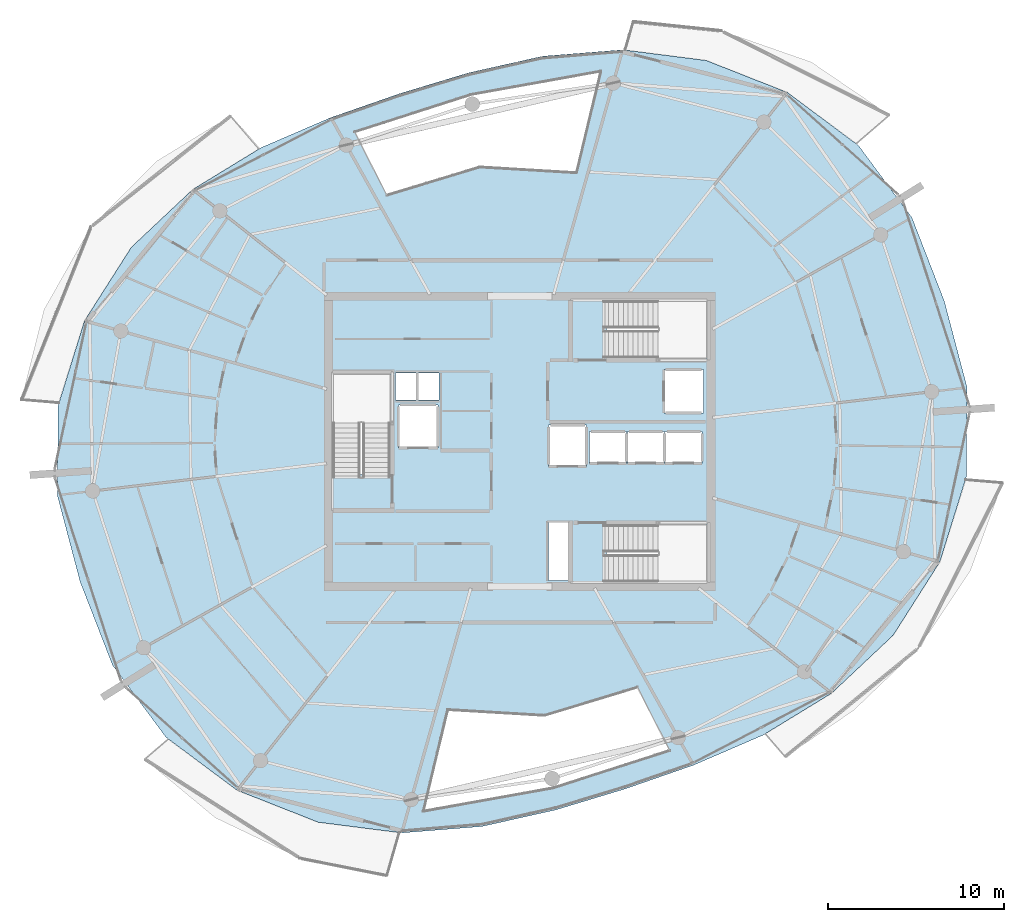
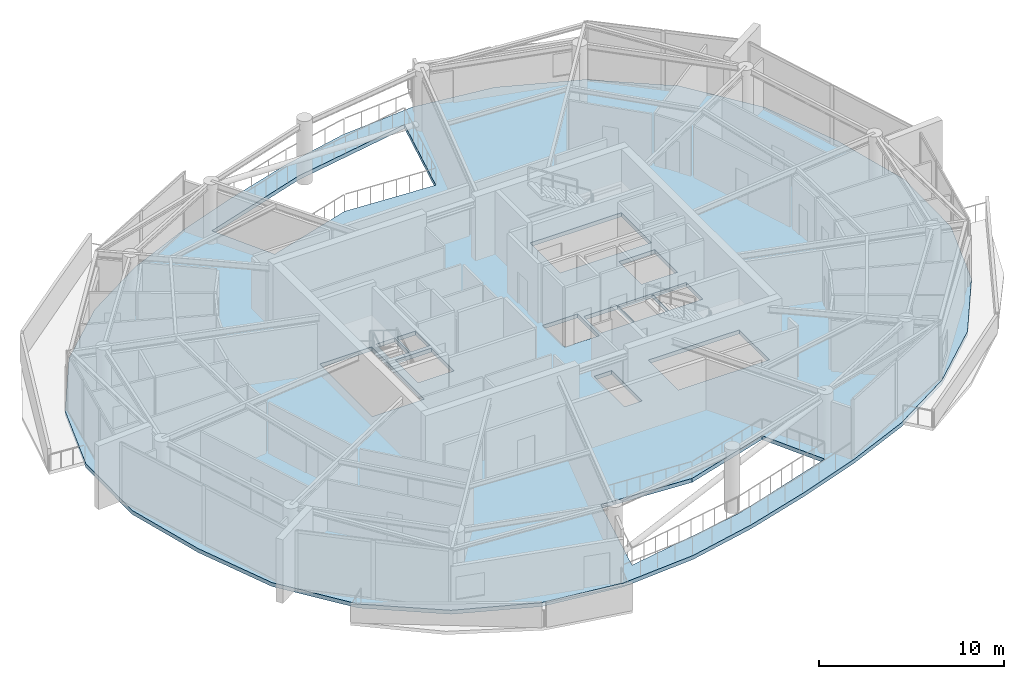
# One storey, part 10 of 22: 1 slab.
"""IFC4 building model written with IfcOpenShell, lengths in metres."""

from ifc_helpers import new_model, si_unit, direction, frame, origin, place, context, subcontext, project, spatial, polyline, outline, extrude, material, layer, layer_set, type_object, element, save


model = new_model("IFC4")

# Units and contexts
model_context = context("Model", 3, precision=1e-05, world=origin(), true_north=direction((0.0, 1.0)))
body_context = subcontext(model_context, "Body", "Model", "MODEL_VIEW")
ifc_project = project(units=[si_unit("LENGTHUNIT", "METRE"), si_unit("AREAUNIT", "SQUARE_METRE"), si_unit("VOLUMEUNIT", "CUBIC_METRE"), si_unit("PLANEANGLEUNIT", "RADIAN"), si_unit("MASSUNIT", "GRAM", prefix="KILO")], contexts=[model_context])

# Site, building, storey
site_placement = place(None, origin())
site = spatial("IfcSite", under=ifc_project, at=site_placement, CompositionType="ELEMENT")
building_placement = place(site_placement, origin())
building = spatial("IfcBuilding", under=site, at=building_placement, Name="Kazma Halo Residences", CompositionType="ELEMENT")
storey_placement = place(building_placement, frame((0.0, 0.0, 330.5)))
storey = spatial("IfcBuildingStorey", under=building, at=storey_placement, Name="L83", CompositionType="ELEMENT", Elevation=330.5)

# Slab
ifc_material = material(Name="Concrete C50/60", Category="concrete")
ifc_layer = layer(ifc_material, 0.260009765625)
ifc_layer_set = layer_set([ifc_layer], Name="Concrete C50/60")
slab_type = type_object("IfcSlabType", Name="SLB-RES-260", PredefinedType="FLOOR", material=ifc_layer_set)
slab_placement = place(storey_placement, frame((0.0, 0.0, -0.260009765625)))
element("IfcSlab", 1, at=slab_placement, inside=storey, type_object=slab_type, Name="L83 structural floor slab", PredefinedType="FLOOR", context=body_context, shape_type="SweptSolid", body=[
    extrude(outline(polyline([(72.573486328125, 49.984375), (70.730224609375, 54.7294921875), (67.697265625, 58.822998046875), (63.6455078125, 61.84619140625), (59.037841796875, 63.6630859375), (54.280517578125, 64.269287109375), (49.723876953125, 63.90478515625), (45.51904296875, 62.9609375), (41.576416015625, 61.76953125), (37.6865234375, 60.416015625), (33.72998046875, 58.7080078125), (29.829345703125, 56.32470703125), (26.3369140625, 53.037841796875), (23.677001953125, 48.85986328125), (22.17626953125, 44.032470703125), (22.12841796875, 38.93798828125), (23.426513671875, 34.015625), (25.269775390625, 29.2705078125), (28.302734375, 25.177001953125), (32.3544921875, 22.15380859375), (36.962158203125, 20.3369140625), (41.719482421875, 19.730712890625), (46.276123046875, 20.09521484375), (50.48095703125, 21.0390625), (54.423583984375, 22.23046875), (58.3134765625, 23.583984375), (62.27001953125, 25.2919921875), (66.170654296875, 27.67529296875), (69.6630859375, 30.962158203125), (72.322998046875, 35.14013671875), (73.82373046875, 39.967529296875), (73.87158203125, 45.06201171875), (72.573486328125, 49.984375)]), holes=[polyline([(37.800048828125, 40.110107421875), (41.050048828125, 40.110107421875), (41.050048828125, 45.800048828125), (37.800048828125, 45.800048828125), (37.800048828125, 40.110107421875)]), polyline([(53.360107421875, 46.75), (59.050048828125, 46.75), (59.050048828125, 50.0), (53.360107421875, 50.0), (53.360107421875, 46.75)]), polyline([(53.360107421875, 34.0), (59.050048828125, 34.0), (59.050048828125, 37.25), (53.360107421875, 37.25), (53.360107421875, 34.0)]), polyline([(41.52001953125, 41.6201171875), (43.780029296875, 41.6201171875), (43.780029296875, 44.080078125), (41.52001953125, 44.080078125), (41.52001953125, 41.6201171875)]), polyline([(56.6201171875, 43.6201171875), (58.8798828125, 43.6201171875), (58.8798828125, 46.080078125), (56.6201171875, 46.080078125), (56.6201171875, 43.6201171875)]), polyline([(52.39501953125, 40.7451171875), (54.5048828125, 40.7451171875), (54.5048828125, 42.554931640625), (52.39501953125, 42.554931640625), (52.39501953125, 40.7451171875)]), polyline([(54.544921875, 40.7451171875), (56.655029296875, 40.7451171875), (56.655029296875, 42.554931640625), (54.544921875, 42.554931640625), (54.544921875, 40.7451171875)]), polyline([(56.695068359375, 40.7451171875), (58.804931640625, 40.7451171875), (58.804931640625, 42.554931640625), (56.695068359375, 42.554931640625), (56.695068359375, 40.7451171875)]), polyline([(50.070068359375, 40.570068359375), (52.22998046875, 40.570068359375), (52.22998046875, 42.929931640625), (50.070068359375, 42.929931640625), (50.070068359375, 40.570068359375)]), polyline([(41.360107421875, 44.340087890625), (42.5400390625, 44.340087890625), (42.5400390625, 45.89990234375), (41.360107421875, 45.89990234375), (41.360107421875, 44.340087890625)]), polyline([(42.659912109375, 44.340087890625), (43.840087890625, 44.340087890625), (43.840087890625, 45.89990234375), (42.659912109375, 45.89990234375), (42.659912109375, 44.340087890625)]), polyline([(50.06005859375, 34.080078125), (51.159912109375, 34.080078125), (51.159912109375, 37.3798828125), (50.06005859375, 37.3798828125), (50.06005859375, 34.080078125)]), polyline([(51.6650390625, 57.26611328125), (46.15478515625, 57.59130859375), (40.872314453125, 55.98876953125), (39.036376953125, 59.592041015625), (45.666015625, 61.7197265625), (53.052978515625, 63.047119140625), (51.6650390625, 57.26611328125)]), polyline([(44.3349609375, 26.73388671875), (49.84521484375, 26.40869140625), (55.127685546875, 28.01123046875), (56.963623046875, 24.407958984375), (50.333984375, 22.2802734375), (42.947021484375, 20.952880859375), (44.3349609375, 26.73388671875)])]), origin(), (0.0, 0.0, 1.0), 0.260009765625),
])

save(model, "model.ifc")
